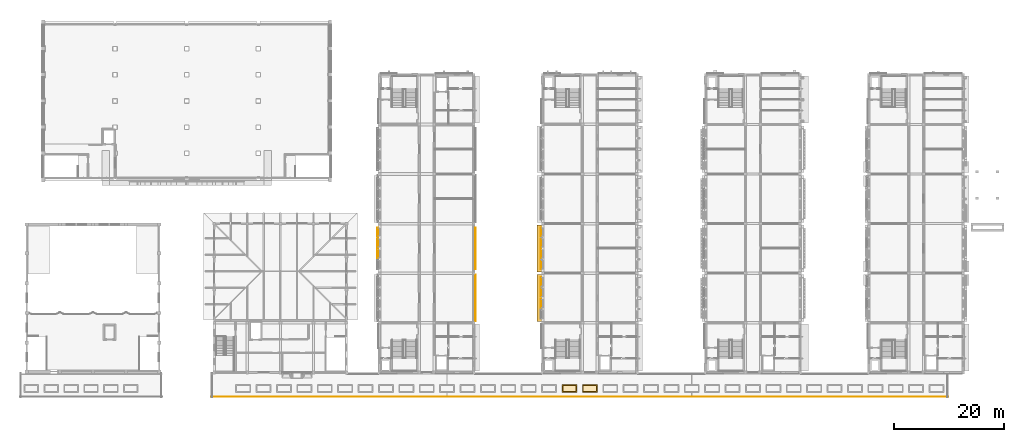
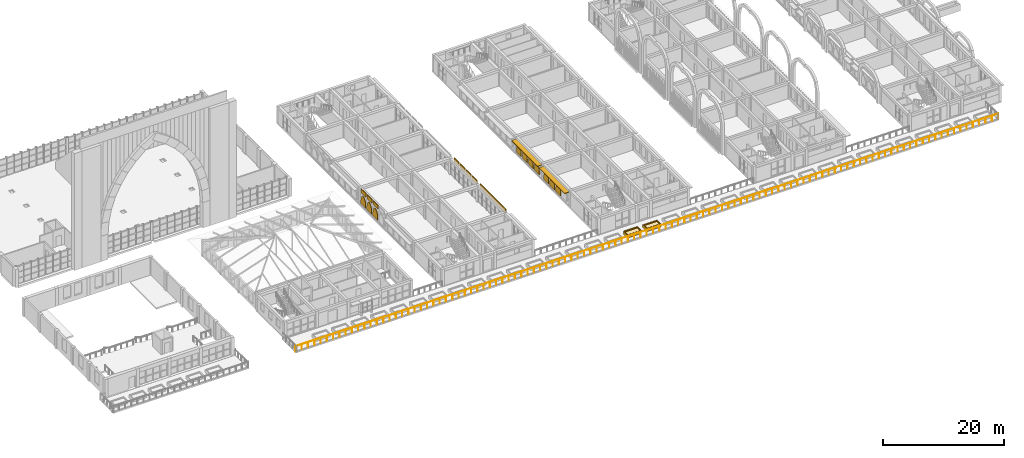
# One storey, part 72 of 82: 12 coverings, 12 shading devices, 1 railing.
"""IFC4 building model written with IfcOpenShell, lengths in metres."""

from ifc_helpers import new_model, si_unit, direction, frame, origin, origin_2d, place, context, subcontext, project, spatial, polyline, rectangle, circle, outline, extrude, material, layer, layer_set, type_object, element, save


model = new_model("IFC4")

# Units and contexts
model_context = context("Model", 3, precision=1e-05, world=origin(), true_north=direction((0.0, 1.0)))
body_context = subcontext(model_context, "Body", "Model", "MODEL_VIEW")
ifc_project = project(units=[si_unit("LENGTHUNIT", "METRE"), si_unit("AREAUNIT", "SQUARE_METRE"), si_unit("VOLUMEUNIT", "CUBIC_METRE"), si_unit("PLANEANGLEUNIT", "RADIAN"), si_unit("MASSUNIT", "GRAM", prefix="KILO")], contexts=[model_context])

# Site, building, storey
site_placement = place(None, origin())
site = spatial("IfcSite", under=ifc_project, at=site_placement, CompositionType="ELEMENT")
building_placement = place(site_placement, origin())
building = spatial("IfcBuilding", under=site, at=building_placement, Name="Elbe Cascade School", CompositionType="ELEMENT")
storey_placement = place(building_placement, frame((0.0, 0.0, 4.5)))
storey = spatial("IfcBuildingStorey", under=building, at=storey_placement, Name="L01", CompositionType="ELEMENT", Elevation=4.5)

# Shading devices
ifc_material_1 = material(Name="Precast concrete C30/37", Category="concrete")
ifc_layer_1 = layer(ifc_material_1, 0.1201171875)
ifc_layer_set_1 = layer_set([ifc_layer_1], Name="Precast concrete C30/37")
shading_device_type_1 = type_object("IfcShadingDeviceType", Name="Bars envelope Chhajja eave, precast concrete, 900 x 120", PredefinedType="USERDEFINED", material=ifc_layer_set_1)
for number, where, z_axis, x_axis, name in (
    (1, (98.030029296875, 19.5, 2.72998046875), (0.0, 0.0, 1.0), (0.0, 1.0, 0.0), "Chhajja eave SD2 B.L01.w2"),
    (2, (98.030029296875, 28.5, 2.72998046875), (0.0, 0.0, 1.0), (0.0, 1.0, 0.0), "Chhajja eave SD2 B.L01.w3"),
):
    element("IfcShadingDevice", number, at=place(storey_placement, frame(where, z_axis=z_axis, x_axis=x_axis)), inside=storey, type_object=shading_device_type_1, Name=name, ObjectType="CHHAJJA", PredefinedType="USERDEFINED", context=body_context, shape_type="SweptSolid", body=[
        extrude(rectangle(XDim=8.5, YDim=0.89990234375, at=origin_2d()), origin(), (0.0, 0.0, 1.0), 0.1201171875),
    ])
ifc_material_2 = material(Name="Precast concrete C40/50", Category="concrete")
ifc_layer_2 = layer(ifc_material_2, 0.10009765625)
ifc_layer_set_2 = layer_set([ifc_layer_2], Name="Precast concrete C40/50")
shading_device_type_2 = type_object("IfcShadingDeviceType", Name="Bars envelope Jali screen 1600 x 1940, pointed arch rise 1200, pierced precast concrete", PredefinedType="USERDEFINED", material=ifc_layer_set_2)
for number, where, z_axis, x_axis, name in (
    (3, (68.60009765625, 26.7099609375, 1.340087890625), (-1.0, 0.0, 0.0), (0.0, 0.196300278283, 0.98054382908), "Jali screen SD4 A.L01.w3.2"),
    (4, (68.60009765625, 28.68994140625, 1.340087890625), (-1.0, 0.0, 0.0), (0.0, 0.196300278283, 0.98054382908), "Jali screen SD4 A.L01.w3.3"),
):
    element("IfcShadingDevice", number, at=place(storey_placement, frame(where, z_axis=z_axis, x_axis=x_axis)), inside=storey, type_object=shading_device_type_2, Name=name, ObjectType="JALI", PredefinedType="USERDEFINED", context=body_context, shape_type="SweptSolid", body=[
        extrude(outline(polyline([(0.0, 0.0), (0.509921112317134, 0.0), (0.7184015554229473, 0.06009802405484588), (0.8733064327485943, 0.13117061016154), (0.9982874871653163, 0.20823380534668107), (1.102872417131342, 0.2891312241218946), (1.1917054934740825, 0.37343107507379947), (1.268281725197354, 0.45993570394643946), (1.3336545243794973, 0.5489321924158467), (1.3075801207519657, 0.6562359822289878), (1.2702064348380508, 0.7655528504723534), (1.220671754049922, 0.877553277802997), (1.155289369893253, 0.9924773561437888), (1.0696067110311427, 1.1117144392411962), (0.9540002292601073, 1.2369421314170506), (0.7847223319636507, 1.37266560447821), (0.31409961520112845, 1.5689658827607584), (-0.41149324269448634, 1.7142261716949392), (-0.7255928578956148, 0.1452602889341807), (0.0, 0.0)])), origin(), (0.0, 0.0, -1.0), 0.10009765625),
    ])
shading_device_1_placement = place(storey_placement, frame((68.60009765625, 30.669921875, 1.340087890625), z_axis=(-1.0, 0.0, 0.0), x_axis=(0.0, 0.196300278283, 0.98054382908)))
element("IfcShadingDevice", 5, at=shading_device_1_placement, inside=storey, type_object=shading_device_type_2, Name="Jali screen SD4 A.L01.w3.4", ObjectType="JALI", PredefinedType="USERDEFINED", context=body_context, shape_type="SweptSolid", body=[
    extrude(outline(polyline([(0.0, 0.0), (0.509921112317134, 0.0), (0.7184494802955748, 0.06033741463811729), (0.8733064327485943, 0.13117061016154), (0.9982874871653163, 0.20823380534668107), (1.102872417131342, 0.2891312241218946), (1.1917054934740825, 0.37343107507379947), (1.2683296500699814, 0.46017509452971084), (1.3336545243794973, 0.5489321924158467), (1.3075801207519657, 0.6562359822289878), (1.2702064348380508, 0.7655528504723534), (1.220671754049922, 0.877553277802997), (1.1553372947658807, 0.9927167467270602), (1.0696067110311427, 1.1117144392411962), (0.9540002292601073, 1.2369421314170506), (0.7847223319636507, 1.37266560447821), (0.31409961520112845, 1.5689658827607584), (-0.41149324269448634, 1.7142261716949392), (-0.7255928578956148, 0.1452602889341807), (0.0, 0.0)])), origin(), (0.0, 0.0, -1.0), 0.10009765625),
])
for number, where, z_axis, x_axis, name in (
    (6, (98.199951171875, 17.7099609375, 1.340087890625), (-1.0, 0.0, 0.0), (0.0, 0.196300278283, 0.98054382908), "Jali screen SD4 B.L01.w2.2"),
    (7, (98.199951171875, 19.68994140625, 1.340087890625), (-1.0, 0.0, 0.0), (0.0, 0.196300278283, 0.98054382908), "Jali screen SD4 B.L01.w2.3"),
):
    element("IfcShadingDevice", number, at=place(storey_placement, frame(where, z_axis=z_axis, x_axis=x_axis)), inside=storey, type_object=shading_device_type_2, Name=name, ObjectType="JALI", PredefinedType="USERDEFINED", context=body_context, shape_type="SweptSolid", body=[
        extrude(outline(polyline([(0.0, 0.0), (0.509921112317134, 0.0), (0.7184015554229473, 0.06009802405484588), (0.8733064327485943, 0.13117061016154), (0.9982874871653163, 0.20823380534668107), (1.102872417131342, 0.2891312241218946), (1.1917054934740825, 0.37343107507379947), (1.268281725197354, 0.45993570394643946), (1.3336545243794973, 0.5489321924158467), (1.3075801207519657, 0.6562359822289878), (1.2702064348380508, 0.7655528504723534), (1.220671754049922, 0.877553277802997), (1.155289369893253, 0.9924773561437888), (1.0696067110311427, 1.1117144392411962), (0.9540002292601073, 1.2369421314170506), (0.7847223319636507, 1.37266560447821), (0.31409961520112845, 1.5689658827607584), (-0.41149324269448634, 1.7142261716949392), (-0.7255928578956148, 0.1452602889341807), (0.0, 0.0)])), origin(), (0.0, 0.0, -1.0), 0.10009765625),
    ])
shading_device_2_placement = place(storey_placement, frame((98.199951171875, 21.669921875, 1.340087890625), z_axis=(-1.0, 0.0, 0.0), x_axis=(0.0, 0.196300278283, 0.98054382908)))
element("IfcShadingDevice", 8, at=shading_device_2_placement, inside=storey, type_object=shading_device_type_2, Name="Jali screen SD4 B.L01.w2.4", ObjectType="JALI", PredefinedType="USERDEFINED", context=body_context, shape_type="SweptSolid", body=[
    extrude(outline(polyline([(0.0, 0.0), (0.509921112317134, 0.0), (0.7184494802955748, 0.06033741463811729), (0.8733064327485943, 0.13117061016154), (0.9982874871653163, 0.20823380534668107), (1.102872417131342, 0.2891312241218946), (1.1917054934740825, 0.37343107507379947), (1.2683296500699814, 0.46017509452971084), (1.3336545243794973, 0.5489321924158467), (1.3075801207519657, 0.6562359822289878), (1.2702064348380508, 0.7655528504723534), (1.220671754049922, 0.877553277802997), (1.1553372947658807, 0.9927167467270602), (1.0696067110311427, 1.1117144392411962), (0.9540002292601073, 1.2369421314170506), (0.7847223319636507, 1.37266560447821), (0.31409961520112845, 1.5689658827607584), (-0.41149324269448634, 1.7142261716949392), (-0.7255928578956148, 0.1452602889341807), (0.0, 0.0)])), origin(), (0.0, 0.0, -1.0), 0.10009765625),
])
shading_device_3_placement = place(storey_placement, frame((98.199951171875, 24.72998046875, 1.340087890625), z_axis=(-1.0, 0.0, 0.0), x_axis=(0.0, 0.196300278283, 0.98054382908)))
element("IfcShadingDevice", 9, at=shading_device_3_placement, inside=storey, type_object=shading_device_type_2, Name="Jali screen SD4 B.L01.w3.1", ObjectType="JALI", PredefinedType="USERDEFINED", context=body_context, shape_type="SweptSolid", body=[
    extrude(outline(polyline([(0.0, 0.0), (0.509921112317134, 0.0), (0.7184015554229473, 0.06009802405484588), (0.8733064327485943, 0.13117061016154), (0.9982395622926888, 0.20799441476340969), (1.102872417131342, 0.2891312241218946), (1.1917054934740825, 0.37343107507379947), (1.268281725197354, 0.45993570394643946), (1.3336545243794973, 0.5489321924158467), (1.3075321958793382, 0.6559965916457164), (1.2702064348380508, 0.7655528504723534), (1.220671754049922, 0.877553277802997), (1.155289369893253, 0.9924773561437888), (1.0696067110311427, 1.1117144392411962), (0.9539523043874798, 1.2367027408337792), (0.7847223319636507, 1.37266560447821), (0.31409961520112845, 1.5689658827607584), (-0.41149324269448634, 1.7142261716949392), (-0.7255928578956148, 0.1452602889341807), (0.0, 0.0)])), origin(), (0.0, 0.0, -1.0), 0.10009765625),
])
for number, where, z_axis, x_axis, name in (
    (10, (98.199951171875, 26.7099609375, 1.340087890625), (-1.0, 0.0, 0.0), (0.0, 0.196300278283, 0.98054382908), "Jali screen SD4 B.L01.w3.2"),
    (11, (98.199951171875, 28.68994140625, 1.340087890625), (-1.0, 0.0, 0.0), (0.0, 0.196300278283, 0.98054382908), "Jali screen SD4 B.L01.w3.3"),
):
    element("IfcShadingDevice", number, at=place(storey_placement, frame(where, z_axis=z_axis, x_axis=x_axis)), inside=storey, type_object=shading_device_type_2, Name=name, ObjectType="JALI", PredefinedType="USERDEFINED", context=body_context, shape_type="SweptSolid", body=[
        extrude(outline(polyline([(0.0, 0.0), (0.509921112317134, 0.0), (0.7184015554229473, 0.06009802405484588), (0.8733064327485943, 0.13117061016154), (0.9982874871653163, 0.20823380534668107), (1.102872417131342, 0.2891312241218946), (1.1917054934740825, 0.37343107507379947), (1.268281725197354, 0.45993570394643946), (1.3336545243794973, 0.5489321924158467), (1.3075801207519657, 0.6562359822289878), (1.2702064348380508, 0.7655528504723534), (1.220671754049922, 0.877553277802997), (1.155289369893253, 0.9924773561437888), (1.0696067110311427, 1.1117144392411962), (0.9540002292601073, 1.2369421314170506), (0.7847223319636507, 1.37266560447821), (0.31409961520112845, 1.5689658827607584), (-0.41149324269448634, 1.7142261716949392), (-0.7255928578956148, 0.1452602889341807), (0.0, 0.0)])), origin(), (0.0, 0.0, -1.0), 0.10009765625),
    ])
shading_device_4_placement = place(storey_placement, frame((98.199951171875, 30.669921875, 1.340087890625), z_axis=(-1.0, 0.0, 0.0), x_axis=(0.0, 0.196300278283, 0.98054382908)))
element("IfcShadingDevice", 12, at=shading_device_4_placement, inside=storey, type_object=shading_device_type_2, Name="Jali screen SD4 B.L01.w3.4", ObjectType="JALI", PredefinedType="USERDEFINED", context=body_context, shape_type="SweptSolid", body=[
    extrude(outline(polyline([(0.0, 0.0), (0.509921112317134, 0.0), (0.7184494802955748, 0.06033741463811729), (0.8733064327485943, 0.13117061016154), (0.9982874871653163, 0.20823380534668107), (1.102872417131342, 0.2891312241218946), (1.1917054934740825, 0.37343107507379947), (1.2683296500699814, 0.46017509452971084), (1.3336545243794973, 0.5489321924158467), (1.3075801207519657, 0.6562359822289878), (1.2702064348380508, 0.7655528504723534), (1.220671754049922, 0.877553277802997), (1.1553372947658807, 0.9927167467270602), (1.0696067110311427, 1.1117144392411962), (0.9540002292601073, 1.2369421314170506), (0.7847223319636507, 1.37266560447821), (0.31409961520112845, 1.5689658827607584), (-0.41149324269448634, 1.7142261716949392), (-0.7255928578956148, 0.1452602889341807), (0.0, 0.0)])), origin(), (0.0, 0.0, -1.0), 0.10009765625),
])

# Coverings
ifc_material_3 = material(Name="Sandstone - red", Category="masonry")
covering_type_1 = type_object("IfcCoveringType", Name="Bars envelope Sandstone spandrel band, 120 deep", PredefinedType="CLADDING", material=ifc_material_3)
for number, where, z_axis, x_axis, name in (
    (13, (68.68994140625, 27.510009765625, 2.85009765625), (0.0, 0.0, 1.0), (0.0, 1.0, 0.0), "Spandrel band CV53 A.L01.w2.2"),
    (14, (68.68994140625, 29.489990234375, 2.85009765625), (0.0, 0.0, 1.0), (0.0, 1.0, 0.0), "Spandrel band CV53 A.L01.w2.3"),
    (15, (68.68994140625, 31.469970703125, 2.85009765625), (0.0, 0.0, 1.0), (0.0, 1.0, 0.0), "Spandrel band CV53 A.L01.w2.4"),
):
    element("IfcCovering", number, at=place(storey_placement, frame(where, z_axis=z_axis, x_axis=x_axis)), inside=storey, type_object=covering_type_1, Name=name, PredefinedType="CLADDING", context=body_context, shape_type="SweptSolid", body=[
        extrude(rectangle(XDim=1.639892578125, YDim=0.1201171875, at=origin_2d()), origin(), (0.0, 0.0, 1.0), 0.75),
    ])
covering_1_placement = place(storey_placement, frame((86.409912109375, 19.5, 2.85009765625), z_axis=(0.0, 0.0, 1.0), x_axis=(0.0, 1.0, 0.0)))
element("IfcCovering", 16, at=covering_1_placement, inside=storey, type_object=covering_type_1, Name="Spandrel band CV53 A.L01.e1.1", PredefinedType="CLADDING", context=body_context, shape_type="SweptSolid", body=[
    extrude(rectangle(XDim=8.5, YDim=0.1201171875, at=origin_2d()), origin(), (0.0, 0.0, 1.0), 0.75),
])
for number, where, z_axis, x_axis, name in (
    (17, (86.409912109375, 25.530029296875, 2.85009765625), (0.0, 0.0, 1.0), (0.0, 1.0, 0.0), "Spandrel band CV53 A.L01.e2.1"),
    (18, (86.409912109375, 27.510009765625, 2.85009765625), (0.0, 0.0, 1.0), (0.0, 1.0, 0.0), "Spandrel band CV53 A.L01.e2.2"),
    (19, (86.409912109375, 29.489990234375, 2.85009765625), (0.0, 0.0, 1.0), (0.0, 1.0, 0.0), "Spandrel band CV53 A.L01.e2.3"),
    (20, (86.409912109375, 31.469970703125, 2.85009765625), (0.0, 0.0, 1.0), (0.0, 1.0, 0.0), "Spandrel band CV53 A.L01.e2.4"),
):
    element("IfcCovering", number, at=place(storey_placement, frame(where, z_axis=z_axis, x_axis=x_axis)), inside=storey, type_object=covering_type_1, Name=name, PredefinedType="CLADDING", context=body_context, shape_type="SweptSolid", body=[
        extrude(rectangle(XDim=1.639892578125, YDim=0.1201171875, at=origin_2d()), origin(), (0.0, 0.0, 1.0), 0.75),
    ])

# Railing
ifc_material_4 = material(Name="Steel S355J2H", Category="steel")
railing_type = type_object("IfcRailingType", Name="Quay and steps guard 1100", PredefinedType="GUARDRAIL", material=ifc_material_4)
railing_placement = place(storey_placement, frame((172.125, 1.60009765625, 0.0)))
element("IfcRailing", 21, at=railing_placement, inside=storey, type_object=railing_type, Name="Colonnade roof guard 1", PredefinedType="GUARDRAIL", context=body_context, shape_type="SweptSolid", body=[
    extrude(circle(Radius=0.02392578125, at=origin_2d()), frame((0.0, 0.0, 1.076171875), z_axis=(-1.0, 0.0, 0.0), x_axis=(0.0, -1.0, 0.0)), (0.0, 0.0, 1.0), 133.625),
    extrude(circle(Radius=0.02099609375, at=origin_2d()), origin(), (0.0, 0.0, 1.0), 1.052001953125),
    extrude(circle(Radius=0.02099609375, at=origin_2d()), frame((-1.193115234375, 0.0, 0.0)), (0.0, 0.0, 1.0), 1.052001953125),
    extrude(circle(Radius=0.02099609375, at=origin_2d()), frame((-2.38623046875, 0.0, 0.0)), (0.0, 0.0, 1.0), 1.052001953125),
    extrude(circle(Radius=0.02099609375, at=origin_2d()), frame((-3.579345703125, 0.0, 0.0)), (0.0, 0.0, 1.0), 1.052001953125),
    extrude(circle(Radius=0.02099609375, at=origin_2d()), frame((-4.772216796875, 0.0, 0.0)), (0.0, 0.0, 1.0), 1.052001953125),
    extrude(circle(Radius=0.02099609375, at=origin_2d()), frame((-5.96533203125, 0.0, 0.0)), (0.0, 0.0, 1.0), 1.052001953125),
    extrude(circle(Radius=0.02099609375, at=origin_2d()), frame((-7.158447265625, 0.0, 0.0)), (0.0, 0.0, 1.0), 1.052001953125),
    extrude(circle(Radius=0.02099609375, at=origin_2d()), frame((-8.3515625, 0.0, 0.0)), (0.0, 0.0, 1.0), 1.052001953125),
    extrude(circle(Radius=0.02099609375, at=origin_2d()), frame((-9.544677734375, 0.0, 0.0)), (0.0, 0.0, 1.0), 1.052001953125),
    extrude(circle(Radius=0.02099609375, at=origin_2d()), frame((-10.73779296875, 0.0, 0.0)), (0.0, 0.0, 1.0), 1.052001953125),
    extrude(circle(Radius=0.02099609375, at=origin_2d()), frame((-11.930908203125, 0.0, 0.0)), (0.0, 0.0, 1.0), 1.052001953125),
    extrude(circle(Radius=0.02099609375, at=origin_2d()), frame((-13.123779296875, 0.0, 0.0)), (0.0, 0.0, 1.0), 1.052001953125),
    extrude(circle(Radius=0.02099609375, at=origin_2d()), frame((-14.31689453125, 0.0, 0.0)), (0.0, 0.0, 1.0), 1.052001953125),
    extrude(circle(Radius=0.02099609375, at=origin_2d()), frame((-15.510009765625, 0.0, 0.0)), (0.0, 0.0, 1.0), 1.052001953125),
    extrude(circle(Radius=0.02099609375, at=origin_2d()), frame((-16.703125, 0.0, 0.0)), (0.0, 0.0, 1.0), 1.052001953125),
    extrude(circle(Radius=0.02099609375, at=origin_2d()), frame((-17.896240234375, 0.0, 0.0)), (0.0, 0.0, 1.0), 1.052001953125),
    extrude(circle(Radius=0.02099609375, at=origin_2d()), frame((-19.08935546875, 0.0, 0.0)), (0.0, 0.0, 1.0), 1.052001953125),
    extrude(circle(Radius=0.02099609375, at=origin_2d()), frame((-20.282470703125, 0.0, 0.0)), (0.0, 0.0, 1.0), 1.052001953125),
    extrude(circle(Radius=0.02099609375, at=origin_2d()), frame((-21.475341796875, 0.0, 0.0)), (0.0, 0.0, 1.0), 1.052001953125),
    extrude(circle(Radius=0.02099609375, at=origin_2d()), frame((-22.66845703125, 0.0, 0.0)), (0.0, 0.0, 1.0), 1.052001953125),
    extrude(circle(Radius=0.02099609375, at=origin_2d()), frame((-23.861572265625, 0.0, 0.0)), (0.0, 0.0, 1.0), 1.052001953125),
    extrude(circle(Radius=0.02099609375, at=origin_2d()), frame((-25.0546875, 0.0, 0.0)), (0.0, 0.0, 1.0), 1.052001953125),
    extrude(circle(Radius=0.02099609375, at=origin_2d()), frame((-26.247802734375, 0.0, 0.0)), (0.0, 0.0, 1.0), 1.052001953125),
    extrude(circle(Radius=0.02099609375, at=origin_2d()), frame((-27.44091796875, 0.0, 0.0)), (0.0, 0.0, 1.0), 1.052001953125),
    extrude(circle(Radius=0.02099609375, at=origin_2d()), frame((-28.634033203125, 0.0, 0.0)), (0.0, 0.0, 1.0), 1.052001953125),
    extrude(circle(Radius=0.02099609375, at=origin_2d()), frame((-29.826904296875, 0.0, 0.0)), (0.0, 0.0, 1.0), 1.052001953125),
    extrude(circle(Radius=0.02099609375, at=origin_2d()), frame((-31.02001953125, 0.0, 0.0)), (0.0, 0.0, 1.0), 1.052001953125),
    extrude(circle(Radius=0.02099609375, at=origin_2d()), frame((-32.213134765625, 0.0, 0.0)), (0.0, 0.0, 1.0), 1.052001953125),
    extrude(circle(Radius=0.02099609375, at=origin_2d()), frame((-33.40625, 0.0, 0.0)), (0.0, 0.0, 1.0), 1.052001953125),
    extrude(circle(Radius=0.02099609375, at=origin_2d()), frame((-34.599365234375, 0.0, 0.0)), (0.0, 0.0, 1.0), 1.052001953125),
    extrude(circle(Radius=0.02099609375, at=origin_2d()), frame((-35.79248046875, 0.0, 0.0)), (0.0, 0.0, 1.0), 1.052001953125),
    extrude(circle(Radius=0.02099609375, at=origin_2d()), frame((-36.985595703125, 0.0, 0.0)), (0.0, 0.0, 1.0), 1.052001953125),
    extrude(circle(Radius=0.02099609375, at=origin_2d()), frame((-38.178466796875, 0.0, 0.0)), (0.0, 0.0, 1.0), 1.052001953125),
    extrude(circle(Radius=0.02099609375, at=origin_2d()), frame((-39.37158203125, 0.0, 0.0)), (0.0, 0.0, 1.0), 1.052001953125),
    extrude(circle(Radius=0.02099609375, at=origin_2d()), frame((-40.564697265625, 0.0, 0.0)), (0.0, 0.0, 1.0), 1.052001953125),
    extrude(circle(Radius=0.02099609375, at=origin_2d()), frame((-41.7578125, 0.0, 0.0)), (0.0, 0.0, 1.0), 1.052001953125),
    extrude(circle(Radius=0.02099609375, at=origin_2d()), frame((-42.950927734375, 0.0, 0.0)), (0.0, 0.0, 1.0), 1.052001953125),
    extrude(circle(Radius=0.02099609375, at=origin_2d()), frame((-44.14404296875, 0.0, 0.0)), (0.0, 0.0, 1.0), 1.052001953125),
    extrude(circle(Radius=0.02099609375, at=origin_2d()), frame((-45.337158203125, 0.0, 0.0)), (0.0, 0.0, 1.0), 1.052001953125),
    extrude(circle(Radius=0.02099609375, at=origin_2d()), frame((-46.530029296875, 0.0, 0.0)), (0.0, 0.0, 1.0), 1.052001953125),
    extrude(circle(Radius=0.02099609375, at=origin_2d()), frame((-47.72314453125, 0.0, 0.0)), (0.0, 0.0, 1.0), 1.052001953125),
    extrude(circle(Radius=0.02099609375, at=origin_2d()), frame((-48.916259765625, 0.0, 0.0)), (0.0, 0.0, 1.0), 1.052001953125),
    extrude(circle(Radius=0.02099609375, at=origin_2d()), frame((-50.109375, 0.0, 0.0)), (0.0, 0.0, 1.0), 1.052001953125),
    extrude(circle(Radius=0.02099609375, at=origin_2d()), frame((-51.302490234375, 0.0, 0.0)), (0.0, 0.0, 1.0), 1.052001953125),
    extrude(circle(Radius=0.02099609375, at=origin_2d()), frame((-52.49560546875, 0.0, 0.0)), (0.0, 0.0, 1.0), 1.052001953125),
    extrude(circle(Radius=0.02099609375, at=origin_2d()), frame((-53.688720703125, 0.0, 0.0)), (0.0, 0.0, 1.0), 1.052001953125),
    extrude(circle(Radius=0.02099609375, at=origin_2d()), frame((-54.881591796875, 0.0, 0.0)), (0.0, 0.0, 1.0), 1.052001953125),
    extrude(circle(Radius=0.02099609375, at=origin_2d()), frame((-56.07470703125, 0.0, 0.0)), (0.0, 0.0, 1.0), 1.052001953125),
    extrude(circle(Radius=0.02099609375, at=origin_2d()), frame((-57.267822265625, 0.0, 0.0)), (0.0, 0.0, 1.0), 1.052001953125),
    extrude(circle(Radius=0.02099609375, at=origin_2d()), frame((-58.4609375, 0.0, 0.0)), (0.0, 0.0, 1.0), 1.052001953125),
    extrude(circle(Radius=0.02099609375, at=origin_2d()), frame((-59.654052734375, 0.0, 0.0)), (0.0, 0.0, 1.0), 1.052001953125),
    extrude(circle(Radius=0.02099609375, at=origin_2d()), frame((-60.84716796875, 0.0, 0.0)), (0.0, 0.0, 1.0), 1.052001953125),
    extrude(circle(Radius=0.02099609375, at=origin_2d()), frame((-62.040283203125, 0.0, 0.0)), (0.0, 0.0, 1.0), 1.052001953125),
    extrude(circle(Radius=0.02099609375, at=origin_2d()), frame((-63.233154296875, 0.0, 0.0)), (0.0, 0.0, 1.0), 1.052001953125),
    extrude(circle(Radius=0.02099609375, at=origin_2d()), frame((-64.42626953125, 0.0, 0.0)), (0.0, 0.0, 1.0), 1.052001953125),
    extrude(circle(Radius=0.02099609375, at=origin_2d()), frame((-65.619384765625, 0.0, 0.0)), (0.0, 0.0, 1.0), 1.052001953125),
    extrude(circle(Radius=0.02099609375, at=origin_2d()), frame((-66.8125, 0.0, 0.0)), (0.0, 0.0, 1.0), 1.052001953125),
    extrude(circle(Radius=0.02099609375, at=origin_2d()), frame((-68.005615234375, 0.0, 0.0)), (0.0, 0.0, 1.0), 1.052001953125),
    extrude(circle(Radius=0.02099609375, at=origin_2d()), frame((-69.19873046875, 0.0, 0.0)), (0.0, 0.0, 1.0), 1.052001953125),
    extrude(circle(Radius=0.02099609375, at=origin_2d()), frame((-70.391845703125, 0.0, 0.0)), (0.0, 0.0, 1.0), 1.052001953125),
    extrude(circle(Radius=0.02099609375, at=origin_2d()), frame((-71.584716796875, 0.0, 0.0)), (0.0, 0.0, 1.0), 1.052001953125),
    extrude(circle(Radius=0.02099609375, at=origin_2d()), frame((-72.77783203125, 0.0, 0.0)), (0.0, 0.0, 1.0), 1.052001953125),
    extrude(circle(Radius=0.02099609375, at=origin_2d()), frame((-73.970947265625, 0.0, 0.0)), (0.0, 0.0, 1.0), 1.052001953125),
    extrude(circle(Radius=0.02099609375, at=origin_2d()), frame((-75.1640625, 0.0, 0.0)), (0.0, 0.0, 1.0), 1.052001953125),
    extrude(circle(Radius=0.02099609375, at=origin_2d()), frame((-76.357177734375, 0.0, 0.0)), (0.0, 0.0, 1.0), 1.052001953125),
    extrude(circle(Radius=0.02099609375, at=origin_2d()), frame((-77.55029296875, 0.0, 0.0)), (0.0, 0.0, 1.0), 1.052001953125),
    extrude(circle(Radius=0.02099609375, at=origin_2d()), frame((-78.743408203125, 0.0, 0.0)), (0.0, 0.0, 1.0), 1.052001953125),
    extrude(circle(Radius=0.02099609375, at=origin_2d()), frame((-79.936279296875, 0.0, 0.0)), (0.0, 0.0, 1.0), 1.052001953125),
    extrude(circle(Radius=0.02099609375, at=origin_2d()), frame((-81.12939453125, 0.0, 0.0)), (0.0, 0.0, 1.0), 1.052001953125),
    extrude(circle(Radius=0.02099609375, at=origin_2d()), frame((-82.322509765625, 0.0, 0.0)), (0.0, 0.0, 1.0), 1.052001953125),
    extrude(circle(Radius=0.02099609375, at=origin_2d()), frame((-83.515625, 0.0, 0.0)), (0.0, 0.0, 1.0), 1.052001953125),
    extrude(circle(Radius=0.02099609375, at=origin_2d()), frame((-84.708740234375, 0.0, 0.0)), (0.0, 0.0, 1.0), 1.052001953125),
    extrude(circle(Radius=0.02099609375, at=origin_2d()), frame((-85.90185546875, 0.0, 0.0)), (0.0, 0.0, 1.0), 1.052001953125),
    extrude(circle(Radius=0.02099609375, at=origin_2d()), frame((-87.094970703125, 0.0, 0.0)), (0.0, 0.0, 1.0), 1.052001953125),
    extrude(circle(Radius=0.02099609375, at=origin_2d()), frame((-88.287841796875, 0.0, 0.0)), (0.0, 0.0, 1.0), 1.052001953125),
    extrude(circle(Radius=0.02099609375, at=origin_2d()), frame((-89.48095703125, 0.0, 0.0)), (0.0, 0.0, 1.0), 1.052001953125),
    extrude(circle(Radius=0.02099609375, at=origin_2d()), frame((-90.674072265625, 0.0, 0.0)), (0.0, 0.0, 1.0), 1.052001953125),
    extrude(circle(Radius=0.02099609375, at=origin_2d()), frame((-91.8671875, 0.0, 0.0)), (0.0, 0.0, 1.0), 1.052001953125),
    extrude(circle(Radius=0.02099609375, at=origin_2d()), frame((-93.060302734375, 0.0, 0.0)), (0.0, 0.0, 1.0), 1.052001953125),
    extrude(circle(Radius=0.02099609375, at=origin_2d()), frame((-94.25341796875, 0.0, 0.0)), (0.0, 0.0, 1.0), 1.052001953125),
    extrude(circle(Radius=0.02099609375, at=origin_2d()), frame((-95.446533203125, 0.0, 0.0)), (0.0, 0.0, 1.0), 1.052001953125),
    extrude(circle(Radius=0.02099609375, at=origin_2d()), frame((-96.639404296875, 0.0, 0.0)), (0.0, 0.0, 1.0), 1.052001953125),
    extrude(circle(Radius=0.02099609375, at=origin_2d()), frame((-97.83251953125, 0.0, 0.0)), (0.0, 0.0, 1.0), 1.052001953125),
    extrude(circle(Radius=0.02099609375, at=origin_2d()), frame((-99.025634765625, 0.0, 0.0)), (0.0, 0.0, 1.0), 1.052001953125),
    extrude(circle(Radius=0.02099609375, at=origin_2d()), frame((-100.21875, 0.0, 0.0)), (0.0, 0.0, 1.0), 1.052001953125),
    extrude(circle(Radius=0.02099609375, at=origin_2d()), frame((-101.411865234375, 0.0, 0.0)), (0.0, 0.0, 1.0), 1.052001953125),
    extrude(circle(Radius=0.02099609375, at=origin_2d()), frame((-102.60498046875, 0.0, 0.0)), (0.0, 0.0, 1.0), 1.052001953125),
    extrude(circle(Radius=0.02099609375, at=origin_2d()), frame((-103.798095703125, 0.0, 0.0)), (0.0, 0.0, 1.0), 1.052001953125),
    extrude(circle(Radius=0.02099609375, at=origin_2d()), frame((-104.990966796875, 0.0, 0.0)), (0.0, 0.0, 1.0), 1.052001953125),
    extrude(circle(Radius=0.02099609375, at=origin_2d()), frame((-106.18408203125, 0.0, 0.0)), (0.0, 0.0, 1.0), 1.052001953125),
    extrude(circle(Radius=0.02099609375, at=origin_2d()), frame((-107.377197265625, 0.0, 0.0)), (0.0, 0.0, 1.0), 1.052001953125),
    extrude(circle(Radius=0.02099609375, at=origin_2d()), frame((-108.5703125, 0.0, 0.0)), (0.0, 0.0, 1.0), 1.052001953125),
    extrude(circle(Radius=0.02099609375, at=origin_2d()), frame((-109.763427734375, 0.0, 0.0)), (0.0, 0.0, 1.0), 1.052001953125),
    extrude(circle(Radius=0.02099609375, at=origin_2d()), frame((-110.95654296875, 0.0, 0.0)), (0.0, 0.0, 1.0), 1.052001953125),
    extrude(circle(Radius=0.02099609375, at=origin_2d()), frame((-112.149658203125, 0.0, 0.0)), (0.0, 0.0, 1.0), 1.052001953125),
    extrude(circle(Radius=0.02099609375, at=origin_2d()), frame((-113.342529296875, 0.0, 0.0)), (0.0, 0.0, 1.0), 1.052001953125),
    extrude(circle(Radius=0.02099609375, at=origin_2d()), frame((-114.53564453125, 0.0, 0.0)), (0.0, 0.0, 1.0), 1.052001953125),
    extrude(circle(Radius=0.02099609375, at=origin_2d()), frame((-115.728759765625, 0.0, 0.0)), (0.0, 0.0, 1.0), 1.052001953125),
    extrude(circle(Radius=0.02099609375, at=origin_2d()), frame((-116.921875, 0.0, 0.0)), (0.0, 0.0, 1.0), 1.052001953125),
    extrude(circle(Radius=0.02099609375, at=origin_2d()), frame((-118.114990234375, 0.0, 0.0)), (0.0, 0.0, 1.0), 1.052001953125),
    extrude(circle(Radius=0.02099609375, at=origin_2d()), frame((-119.30810546875, 0.0, 0.0)), (0.0, 0.0, 1.0), 1.052001953125),
    extrude(circle(Radius=0.02099609375, at=origin_2d()), frame((-120.501220703125, 0.0, 0.0)), (0.0, 0.0, 1.0), 1.052001953125),
    extrude(circle(Radius=0.02099609375, at=origin_2d()), frame((-121.694091796875, 0.0, 0.0)), (0.0, 0.0, 1.0), 1.052001953125),
    extrude(circle(Radius=0.02099609375, at=origin_2d()), frame((-122.88720703125, 0.0, 0.0)), (0.0, 0.0, 1.0), 1.052001953125),
    extrude(circle(Radius=0.02099609375, at=origin_2d()), frame((-124.080322265625, 0.0, 0.0)), (0.0, 0.0, 1.0), 1.052001953125),
    extrude(circle(Radius=0.02099609375, at=origin_2d()), frame((-125.2734375, 0.0, 0.0)), (0.0, 0.0, 1.0), 1.052001953125),
    extrude(circle(Radius=0.02099609375, at=origin_2d()), frame((-126.466552734375, 0.0, 0.0)), (0.0, 0.0, 1.0), 1.052001953125),
    extrude(circle(Radius=0.02099609375, at=origin_2d()), frame((-127.65966796875, 0.0, 0.0)), (0.0, 0.0, 1.0), 1.052001953125),
    extrude(circle(Radius=0.02099609375, at=origin_2d()), frame((-128.852783203125, 0.0, 0.0)), (0.0, 0.0, 1.0), 1.052001953125),
    extrude(circle(Radius=0.02099609375, at=origin_2d()), frame((-130.045654296875, 0.0, 0.0)), (0.0, 0.0, 1.0), 1.052001953125),
    extrude(circle(Radius=0.02099609375, at=origin_2d()), frame((-131.23876953125, 0.0, 0.0)), (0.0, 0.0, 1.0), 1.052001953125),
    extrude(circle(Radius=0.02099609375, at=origin_2d()), frame((-132.431884765625, 0.0, 0.0)), (0.0, 0.0, 1.0), 1.052001953125),
    extrude(circle(Radius=0.02099609375, at=origin_2d()), frame((-133.625, 0.0, 0.0)), (0.0, 0.0, 1.0), 1.052001953125),
])

# Coverings
ifc_material_5 = material(Name="Planting - soil and shrubs", Category="soil")
ifc_layer_3 = layer(ifc_material_5, 0.39990234375)
ifc_layer_set_3 = layer_set([ifc_layer_3], Name="Planting - soil and shrubs")
covering_type_2 = type_object("IfcCoveringType", Name="Site planting bed 400", PredefinedType="USERDEFINED", material=ifc_layer_set_3)
covering_2_placement = place(storey_placement, frame((0.0, 0.0, 0.0400390625)))
element("IfcCovering", 22, at=covering_2_placement, inside=storey, type_object=covering_type_2, Name="Colonnade roof planting bed 23", ObjectType="PLANTING BED", PredefinedType="USERDEFINED", context=body_context, shape_type="SweptSolid", body=[
    extrude(outline(polyline([(102.25, 2.550048828125), (104.64990234375, 2.550048828125), (104.64990234375, 3.64990234375), (102.25, 3.64990234375), (102.25, 2.550048828125)])), origin(), (0.0, 0.0, 1.0), 0.39990234375),
])
covering_3_placement = place(storey_placement, frame((0.0, 0.0, 0.0400390625)))
element("IfcCovering", 23, at=covering_3_placement, inside=storey, type_object=covering_type_2, Name="Colonnade roof planting bed 24", ObjectType="PLANTING BED", PredefinedType="USERDEFINED", context=body_context, shape_type="SweptSolid", body=[
    extrude(outline(polyline([(105.949951171875, 2.550048828125), (108.35009765625, 2.550048828125), (108.35009765625, 3.64990234375), (105.949951171875, 3.64990234375), (105.949951171875, 2.550048828125)])), origin(), (0.0, 0.0, 1.0), 0.39990234375),
])
ifc_material_6 = material(Name="Concrete C30/37 precast kerb", Category="concrete")
ifc_layer_4 = layer(ifc_material_6, 0.14990234375)
ifc_layer_set_4 = layer_set([ifc_layer_4], Name="Concrete C30/37 precast kerb")
covering_type_3 = type_object("IfcCoveringType", Name="Site planting bed kerb 150x600", PredefinedType="CLADDING", material=ifc_layer_set_4)
covering_4_placement = place(storey_placement, frame((0.0, 0.0, 0.0400390625)))
element("IfcCovering", 24, at=covering_4_placement, inside=storey, type_object=covering_type_3, Name="Colonnade roof planting bed kerb 23", PredefinedType="CLADDING", context=body_context, shape_type="SweptSolid", body=[
    extrude(outline(polyline([(102.10009765625, 2.39990234375), (104.800048828125, 2.39990234375), (104.800048828125, 3.800048828125), (102.10009765625, 3.800048828125), (102.10009765625, 2.39990234375)]), holes=[polyline([(102.25, 2.550048828125), (104.64990234375, 2.550048828125), (104.64990234375, 3.64990234375), (102.25, 3.64990234375), (102.25, 2.550048828125)])]), origin(), (0.0, 0.0, 1.0), 0.599853515625),
])
covering_5_placement = place(storey_placement, frame((0.0, 0.0, 0.0400390625)))
element("IfcCovering", 25, at=covering_5_placement, inside=storey, type_object=covering_type_3, Name="Colonnade roof planting bed kerb 24", PredefinedType="CLADDING", context=body_context, shape_type="SweptSolid", body=[
    extrude(outline(polyline([(105.800048828125, 2.39990234375), (108.5, 2.39990234375), (108.5, 3.800048828125), (105.800048828125, 3.800048828125), (105.800048828125, 2.39990234375)]), holes=[polyline([(105.949951171875, 2.550048828125), (108.35009765625, 2.550048828125), (108.35009765625, 3.64990234375), (105.949951171875, 3.64990234375), (105.949951171875, 2.550048828125)])]), origin(), (0.0, 0.0, 1.0), 0.599853515625),
])

save(model, "model.ifc")
